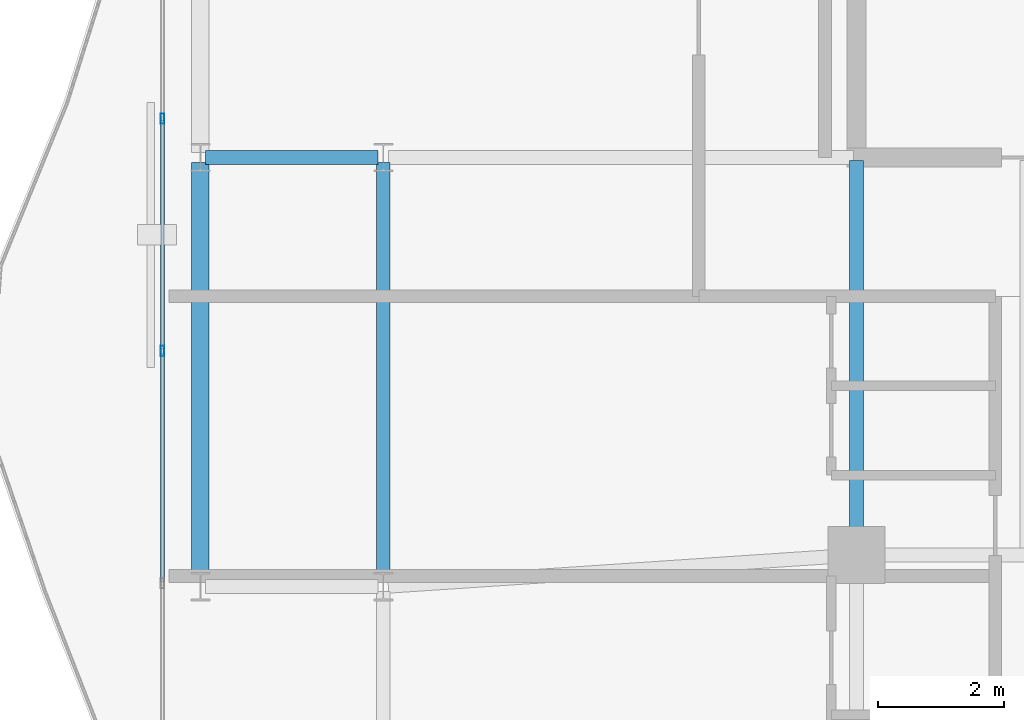
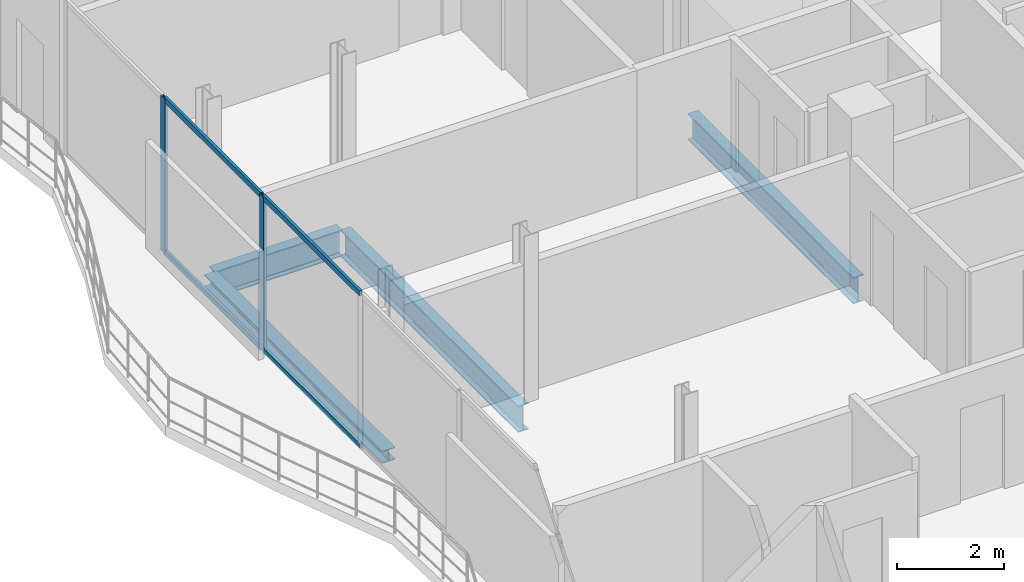
# One storey, part 10 of 22: 6 members, 4 beams, 1 element without a shape of its own.
"""IFC4 building model written with IfcOpenShell, lengths in metres."""

from ifc_helpers import new_model, si_unit, direction, frame, origin, origin_2d, place, context, subcontext, project, spatial, hollow_rectangle, i_section, extrude, material, layer, layer_set, material_profile, profile_set, type_object, element, aggregate, save


model = new_model("IFC4")

# Units and contexts
model_context = context("Model", 3, precision=1e-05, world=origin(), true_north=direction((0.0, 1.0)))
body_context = subcontext(model_context, "Body", "Model", "MODEL_VIEW")
ifc_project = project(units=[si_unit("LENGTHUNIT", "METRE"), si_unit("AREAUNIT", "SQUARE_METRE"), si_unit("VOLUMEUNIT", "CUBIC_METRE"), si_unit("PLANEANGLEUNIT", "RADIAN"), si_unit("MASSUNIT", "GRAM", prefix="KILO")], contexts=[model_context])

# Site, building, storey
site_placement = place(None, origin())
site = spatial("IfcSite", under=ifc_project, at=site_placement, CompositionType="ELEMENT")
building_placement = place(site_placement, origin())
building = spatial("IfcBuilding", under=site, at=building_placement, Name="Catumbela Crestline Tower", CompositionType="ELEMENT")
storey_placement = place(building_placement, frame((0.0, 0.0, 233.6)))
storey = spatial("IfcBuildingStorey", under=building, at=storey_placement, Name="L60", CompositionType="ELEMENT", Elevation=233.6)

# Beams
ifc_material_1 = material(Name="Structural steel S355J2", Category="steel")
ifc_material_profile_1 = material_profile(ifc_material_1, i_section(OverallWidth=0.22, OverallDepth=0.6, WebThickness=0.012, FlangeThickness=0.019, FilletRadius=0.024, at=origin_2d()), Name="IPE 600")
ifc_profile_set_1 = profile_set([ifc_material_profile_1], Name="Structural steel S355J2")
beam_type_1 = type_object("IfcBeamType", Name="BG-IPE600", PredefinedType="BEAM", material=ifc_profile_set_1)
beam_1_placement = place(storey_placement, frame((5.68, 30.8, -0.56), z_axis=(1.0, 0.0, 0.0), x_axis=(0.0, 1.0, 0.0)))
element("IfcBeam", 1, at=beam_1_placement, inside=storey, type_object=beam_type_1, Name="L60 Beam BM-L60-M06", PredefinedType="BEAM", context=body_context, shape_type="SweptSolid", body=[
    extrude(i_section(OverallWidth=0.22, OverallDepth=0.6, WebThickness=0.012, FlangeThickness=0.019, FilletRadius=0.024, at=origin_2d()), origin(), (0.0, 0.0, 1.0), 2.74),
])
beam_2_placement = place(storey_placement, frame((8.5, 24.08, -0.56), z_axis=(0.0, 1.0, 0.0), x_axis=(-1.0, 0.0, 0.0)))
element("IfcBeam", 2, at=beam_2_placement, inside=storey, type_object=beam_type_1, Name="L60 Beam BM-L60-SN14", PredefinedType="BEAM", context=body_context, shape_type="SweptSolid", body=[
    extrude(i_section(OverallWidth=0.22, OverallDepth=0.6, WebThickness=0.012, FlangeThickness=0.019, FilletRadius=0.024, at=origin_2d()), origin(), (0.0, 0.0, 1.0), 6.64),
])
beam_3_placement = place(storey_placement, frame((16.0, 24.58, -0.56), z_axis=(0.0, 1.0, 0.0), x_axis=(-1.0, 0.0, 0.0)))
element("IfcBeam", 3, at=beam_3_placement, inside=storey, type_object=beam_type_1, Name="L60 Beam BM-L60-SNS15", PredefinedType="BEAM", context=body_context, shape_type="SweptSolid", body=[
    extrude(i_section(OverallWidth=0.22, OverallDepth=0.6, WebThickness=0.012, FlangeThickness=0.019, FilletRadius=0.024, at=origin_2d()), origin(), (0.0, 0.0, 1.0), 6.17),
])

# Curtain wall, members
ifc_material_2 = material(Name="Aluminium alloy AW-6060-T66", Category="aluminium")
ifc_layer = layer(ifc_material_2, 0.18, Name="Aluminium alloy AW-6060-T66")
ifc_layer_set = layer_set([ifc_layer], Name="Aluminium alloy AW-6060-T66")
curtain_wall_type = type_object("IfcCurtainWallType", Name="CWU-Z4", PredefinedType="USERDEFINED", material=ifc_layer_set)
curtain_wall_placement = place(storey_placement, origin())
curtain_wall = element("IfcCurtainWall", 4, at=curtain_wall_placement, inside=storey, type_object=curtain_wall_type, Name="L60 Unitised Curtain Wall CW-L60-E9S2", ObjectType="UNITISED", PredefinedType="USERDEFINED")
ifc_material_profile_2 = material_profile(ifc_material_2, hollow_rectangle(XDim=0.06, YDim=0.16, WallThickness=0.004, at=origin_2d()), Name="ALU 160x60x4")
ifc_profile_set_2 = profile_set([ifc_material_profile_2], Name="Aluminium alloy AW-6060-T66")
member_type_1 = type_object("IfcMemberType", Name="MUL-160X60", PredefinedType="MULLION", material=ifc_profile_set_2)
member_1_placement = place(storey_placement, frame((5.0, 31.4167, 0.0), z_axis=(0.0, 0.0, 1.0), x_axis=(1.0, 0.0, 0.0)))
member_1 = element("IfcMember", 5, at=member_1_placement, type_object=member_type_1, Name="CWU-Z4 mullion 2", PredefinedType="MULLION", context=body_context, shape_type="SweptSolid", body=[
    extrude(hollow_rectangle(XDim=0.06, YDim=0.16, WallThickness=0.004, at=origin_2d()), origin(), (0.0, 0.0, 1.0), 3.53),
])
member_2_placement = place(storey_placement, frame((5.0, 27.7333, 0.0), z_axis=(0.0, 0.0, 1.0), x_axis=(1.0, 0.0, 0.0)))
member_2 = element("IfcMember", 6, at=member_2_placement, type_object=member_type_1, Name="CWU-Z4 mullion 3", PredefinedType="MULLION", context=body_context, shape_type="SweptSolid", body=[
    extrude(hollow_rectangle(XDim=0.06, YDim=0.16, WallThickness=0.004, at=origin_2d()), origin(), (0.0, 0.0, 1.0), 3.53),
])

# Beam
ifc_material_profile_3 = material_profile(ifc_material_1, i_section(OverallWidth=0.28, OverallDepth=0.28, WebThickness=0.0105, FlangeThickness=0.018, FilletRadius=0.024, at=origin_2d()), Name="HEB 280")
ifc_profile_set_3 = profile_set([ifc_material_profile_3], Name="Structural steel S355J2")
beam_type_2 = type_object("IfcBeamType", Name="BS-HEB280", PredefinedType="SPANDREL", material=ifc_profile_set_3)
beam_4_placement = place(storey_placement, frame((5.6, 24.08, -0.4), z_axis=(0.0, 1.0, 0.0), x_axis=(-1.0, 0.0, 0.0)))
element("IfcBeam", 7, at=beam_4_placement, inside=storey, type_object=beam_type_2, Name="L60 Spandrel SP-L60-SN12", PredefinedType="SPANDREL", context=body_context, shape_type="SweptSolid", body=[
    extrude(i_section(OverallWidth=0.28, OverallDepth=0.28, WebThickness=0.0105, FlangeThickness=0.018, FilletRadius=0.024, at=origin_2d()), origin(), (0.0, 0.0, 1.0), 6.64),
])

# Member
ifc_material_profile_4 = material_profile(ifc_material_2, hollow_rectangle(XDim=0.06, YDim=0.12, WallThickness=0.0035, at=origin_2d()), Name="ALU 120x60x3.5")
ifc_profile_set_4 = profile_set([ifc_material_profile_4], Name="Aluminium alloy AW-6060-T66")
member_type_2 = type_object("IfcMemberType", Name="TRN-120X60", PredefinedType="USERDEFINED", material=ifc_profile_set_4)
member_3_placement = place(storey_placement, frame((5.0, 31.3842, 0.03), z_axis=(0.0, -1.0, 0.0), x_axis=(1.0, 0.0, 0.0)))
member_3 = element("IfcMember", 8, at=member_3_placement, type_object=member_type_2, Name="CWU-Z4 transom 2.1", ObjectType="TRANSOM", PredefinedType="USERDEFINED", context=body_context, shape_type="SweptSolid", body=[
    extrude(hollow_rectangle(XDim=0.06, YDim=0.12, WallThickness=0.0035, at=origin_2d()), origin(), (0.0, 0.0, 1.0), 3.6184),
])

member_4_placement = place(storey_placement, frame((5.0, 31.3842, 3.5), z_axis=(0.0, -1.0, 0.0), x_axis=(1.0, 0.0, 0.0)))
member_4 = element("IfcMember", 9, at=member_4_placement, type_object=member_type_2, Name="CWU-Z4 transom 2.2", ObjectType="TRANSOM", PredefinedType="USERDEFINED", context=body_context, shape_type="SweptSolid", body=[
    extrude(hollow_rectangle(XDim=0.06, YDim=0.12, WallThickness=0.0035, at=origin_2d()), origin(), (0.0, 0.0, 1.0), 3.6184),
])

member_5_placement = place(storey_placement, frame((5.0, 27.7008, 0.03), z_axis=(0.0, -1.0, 0.0), x_axis=(1.0, 0.0, 0.0)))
member_5 = element("IfcMember", 10, at=member_5_placement, type_object=member_type_2, Name="CWU-Z4 transom 3.1", ObjectType="TRANSOM", PredefinedType="USERDEFINED", context=body_context, shape_type="SweptSolid", body=[
    extrude(hollow_rectangle(XDim=0.06, YDim=0.12, WallThickness=0.0035, at=origin_2d()), origin(), (0.0, 0.0, 1.0), 3.6183),
])

member_6_placement = place(storey_placement, frame((5.0, 27.7008, 3.5), z_axis=(0.0, -1.0, 0.0), x_axis=(1.0, 0.0, 0.0)))
member_6 = element("IfcMember", 11, at=member_6_placement, type_object=member_type_2, Name="CWU-Z4 transom 3.2", ObjectType="TRANSOM", PredefinedType="USERDEFINED", context=body_context, shape_type="SweptSolid", body=[
    extrude(hollow_rectangle(XDim=0.06, YDim=0.12, WallThickness=0.0035, at=origin_2d()), origin(), (0.0, 0.0, 1.0), 3.6183),
])

aggregate(curtain_wall, [member_1, member_2, member_3, member_4, member_5, member_6])

save(model, "model.ifc")
